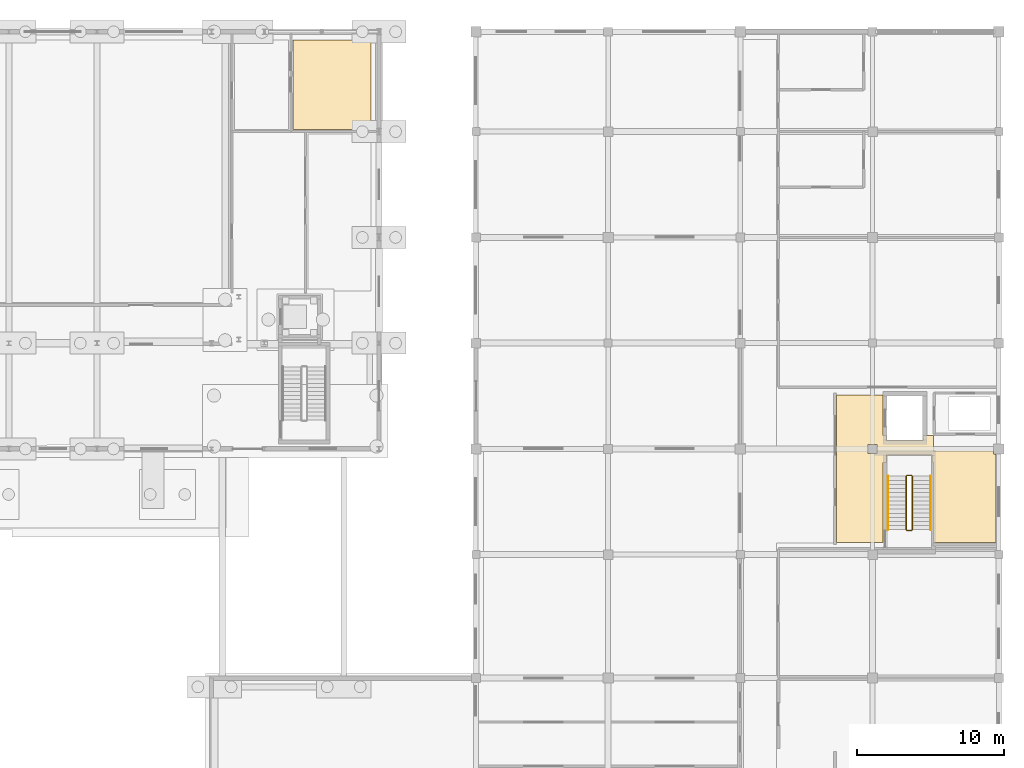
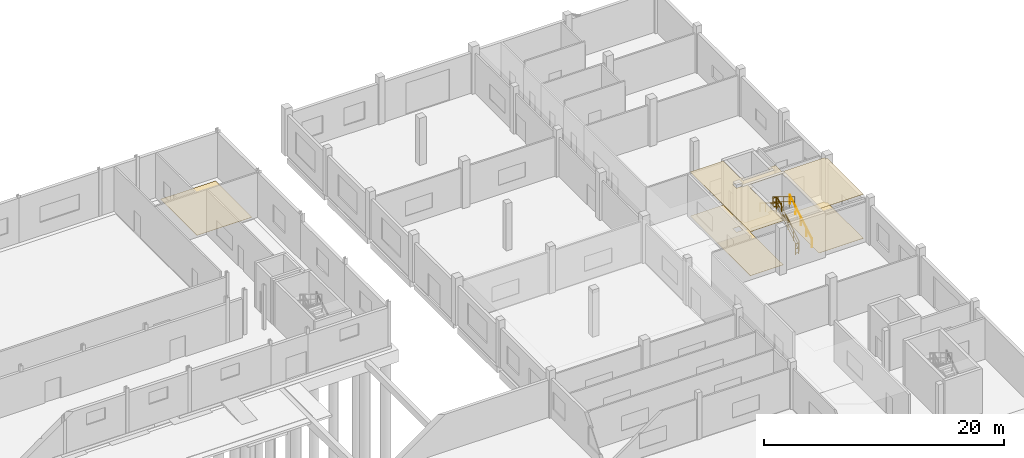
# One storey, part 90 of 91: 6 railings, 3 coverings.
"""IFC4 building model written with IfcOpenShell, lengths in metres."""

from ifc_helpers import new_model, si_unit, direction, frame, origin, origin_2d, place, context, subcontext, project, spatial, polyline, circle, outline, extrude, material, layer, layer_set, type_object, element, save


model = new_model("IFC4")

# Units and contexts
model_context = context("Model", 3, precision=1e-05, world=origin(), true_north=direction((0.0, 1.0)))
body_context = subcontext(model_context, "Body", "Model", "MODEL_VIEW")
ifc_project = project(units=[si_unit("LENGTHUNIT", "METRE"), si_unit("AREAUNIT", "SQUARE_METRE"), si_unit("VOLUMEUNIT", "CUBIC_METRE"), si_unit("PLANEANGLEUNIT", "RADIAN"), si_unit("MASSUNIT", "GRAM", prefix="KILO")], contexts=[model_context])

# Site, building, storey
site_placement = place(None, origin())
site = spatial("IfcSite", under=ifc_project, at=site_placement, CompositionType="ELEMENT")
building_placement = place(site_placement, origin())
building = spatial("IfcBuilding", under=site, at=building_placement, Name="Vinh Khe Railworks Police Headquarters", CompositionType="ELEMENT")
storey_placement = place(building_placement, origin())
storey = spatial("IfcBuildingStorey", under=building, at=storey_placement, Name="L00", CompositionType="ELEMENT", Elevation=0.0)

# Coverings
ifc_material_1 = material(Name="Mineral fibre acoustic ceiling tile")
ifc_layer_1 = layer(ifc_material_1, 0.034912109375)
ifc_layer_set_1 = layer_set([ifc_layer_1], Name="Mineral fibre acoustic ceiling tile")
covering_type_1 = type_object("IfcCoveringType", Name="COV-CEIL-ACOUSTIC", PredefinedType="CEILING", material=ifc_layer_set_1)
covering_1_placement = place(storey_placement, frame((0.0, 0.0, 4.47509765625)))
element("IfcCovering", 1, at=covering_1_placement, inside=storey, type_object=covering_type_1, Name="Acoustic Ceiling Protected Forensic Stair Lobby C3", PredefinedType="CEILING", context=body_context, shape_type="SweptSolid", body=[
    extrude(outline(polyline([(113.409912109375, 137.64501953125), (113.2451171875, 137.64501953125), (113.2451171875, 137.860107421875), (109.159912109375, 137.860107421875), (109.159912109375, 138.909912109375), (108.43994140625, 138.909912109375), (108.43994140625, 138.56005859375), (105.9599609375, 138.56005859375), (105.9599609375, 138.909912109375), (105.7099609375, 138.909912109375), (105.7099609375, 141.659912109375), (102.5400390625, 141.659912109375), (102.5400390625, 131.639892578125), (105.7099609375, 131.639892578125), (105.7099609375, 137.090087890625), (105.9599609375, 137.090087890625), (105.9599609375, 137.590087890625), (109.0400390625, 137.590087890625), (109.0400390625, 137.090087890625), (109.139892578125, 137.090087890625), (109.139892578125, 131.639892578125), (113.409912109375, 131.639892578125), (113.409912109375, 137.64501953125)]), holes=[polyline([(105.304931640625, 137.695068359375), (104.695068359375, 137.695068359375), (104.695068359375, 138.304931640625), (105.304931640625, 138.304931640625), (105.304931640625, 137.695068359375)])]), origin(), (0.0, 0.0, 1.0), 0.034912109375),
])
ifc_material_2 = material(Name="Honed granite terrazzo flooring", Category="masonry")
ifc_layer_2 = layer(ifc_material_2, 0.02001953125)
ifc_layer_set_2 = layer_set([ifc_layer_2], Name="Honed granite terrazzo flooring")
covering_type_2 = type_object("IfcCoveringType", Name="COV-FLR-TERRAZZO", PredefinedType="FLOORING", material=ifc_layer_set_2)
covering_2_placement = place(storey_placement, origin())
element("IfcCovering", 2, at=covering_2_placement, inside=storey, type_object=covering_type_2, Name="Terrazzo Floor Finish Protected Forensic Stair Lobby C3", PredefinedType="FLOORING", context=body_context, shape_type="SweptSolid", body=[
    extrude(outline(polyline([(113.409912109375, 137.64501953125), (113.2451171875, 137.64501953125), (113.2451171875, 137.860107421875), (109.159912109375, 137.860107421875), (109.159912109375, 138.909912109375), (108.43994140625, 138.909912109375), (108.43994140625, 138.56005859375), (105.9599609375, 138.56005859375), (105.9599609375, 138.909912109375), (105.7099609375, 138.909912109375), (105.7099609375, 141.659912109375), (102.5400390625, 141.659912109375), (102.5400390625, 131.639892578125), (105.7099609375, 131.639892578125), (105.7099609375, 137.090087890625), (105.9599609375, 137.090087890625), (105.9599609375, 137.590087890625), (109.0400390625, 137.590087890625), (109.0400390625, 137.090087890625), (109.139892578125, 137.090087890625), (109.139892578125, 131.639892578125), (113.409912109375, 131.639892578125), (113.409912109375, 137.64501953125)]), holes=[polyline([(105.304931640625, 137.695068359375), (104.695068359375, 137.695068359375), (104.695068359375, 138.304931640625), (105.304931640625, 138.304931640625), (105.304931640625, 137.695068359375)])]), origin(), (0.0, 0.0, 1.0), 0.02001953125),
])
covering_3_placement = place(storey_placement, origin())
element("IfcCovering", 3, at=covering_3_placement, inside=storey, type_object=covering_type_2, Name="Terrazzo Floor Finish Gymnasium Apparatus Store", PredefinedType="FLOORING", context=body_context, shape_type="SweptSolid", body=[
    extrude(outline(polyline([(70.840087890625, 165.840087890625), (65.56005859375, 165.840087890625), (65.56005859375, 159.760009765625), (70.840087890625, 159.760009765625), (70.840087890625, 165.840087890625)])), origin(), (0.0, 0.0, 1.0), 0.02001953125),
])

# Railings
ifc_material_3 = material(Name="Painted tubular steel", Category="steel")
railing_type_1 = type_object("IfcRailingType", Name="RL-GUARD-1100", PredefinedType="GUARDRAIL", material=ifc_material_3)
railing_1_placement = place(storey_placement, frame((107.699951171875, 132.5, 0.17138671875)))
element("IfcRailing", 4, at=railing_1_placement, inside=storey, type_object=railing_type_1, Name="L00 ST-03 stair guard 1", PredefinedType="GUARDRAIL", context=body_context, shape_type="SweptSolid", body=[
    extrude(circle(Radius=0.02392578125, at=origin_2d()), frame((0.0, 0.0, 1.076171875), z_axis=(0.0, 0.852850264322, 0.5221555579), x_axis=(-1.0, 0.0, 0.0)), (0.0, 0.0, 1.0), 4.267822265625),
    extrude(circle(Radius=0.01416015625, at=origin_2d()), frame((0.0, 0.0, 0.132080078125), z_axis=(0.0, 0.852850264322, 0.5221555579), x_axis=(-1.0, 0.0, 0.0)), (0.0, 0.0, 1.0), 4.267822265625),
    extrude(circle(Radius=0.01416015625, at=origin_2d()), frame((0.0, 0.0, 0.572021484375), z_axis=(0.0, 0.852850264322, 0.5221555579), x_axis=(-1.0, 0.0, 0.0)), (0.0, 0.0, 1.0), 4.267822265625),
    extrude(circle(Radius=0.02099609375, at=origin_2d()), origin(), (0.0, 0.0, 1.0), 1.052001953125),
    extrude(circle(Radius=0.02099609375, at=origin_2d()), frame((0.0, 0.909912109375, 0.55712890625)), (0.0, 0.0, 1.0), 1.052001953125),
    extrude(circle(Radius=0.02099609375, at=origin_2d()), frame((0.0, 1.81982421875, 1.1142578125)), (0.0, 0.0, 1.0), 1.052001953125),
    extrude(circle(Radius=0.02099609375, at=origin_2d()), frame((0.0, 2.72998046875, 1.67138671875)), (0.0, 0.0, 1.0), 1.052001953125),
    extrude(circle(Radius=0.02099609375, at=origin_2d()), frame((0.0, 3.639892578125, 2.228515625)), (0.0, 0.0, 1.0), 1.052001953125),
])
railing_2_placement = place(storey_placement, frame((107.64990234375, 136.18994140625, 2.39990234375)))
element("IfcRailing", 5, at=railing_2_placement, inside=storey, type_object=railing_type_1, Name="L00 ST-03 stair guard 2", PredefinedType="GUARDRAIL", context=body_context, shape_type="SweptSolid", body=[
    extrude(circle(Radius=0.02392578125, at=origin_2d()), frame((0.0, 0.0, 1.076171875), z_axis=(-1.0, 0.0, 0.0), x_axis=(0.0, -1.0, 0.0)), (0.0, 0.0, 1.0), 0.2998046875),
    extrude(circle(Radius=0.01416015625, at=origin_2d()), frame((0.0, 0.0, 0.132080078125), z_axis=(-1.0, 0.0, 0.0), x_axis=(0.0, -1.0, 0.0)), (0.0, 0.0, 1.0), 0.2998046875),
    extrude(circle(Radius=0.01416015625, at=origin_2d()), frame((0.0, 0.0, 0.572021484375), z_axis=(-1.0, 0.0, 0.0), x_axis=(0.0, -1.0, 0.0)), (0.0, 0.0, 1.0), 0.2998046875),
    extrude(circle(Radius=0.02099609375, at=origin_2d()), origin(), (0.0, 0.0, 1.0), 1.052001953125),
    extrude(circle(Radius=0.02099609375, at=origin_2d()), frame((-0.2998046875, 0.0, 0.0)), (0.0, 0.0, 1.0), 1.052001953125),
])
railing_3_placement = place(storey_placement, frame((107.300048828125, 136.139892578125, 2.571533203125)))
element("IfcRailing", 6, at=railing_3_placement, inside=storey, type_object=railing_type_1, Name="L00 ST-03 stair guard 3", PredefinedType="GUARDRAIL", context=body_context, shape_type="SweptSolid", body=[
    extrude(circle(Radius=0.02392578125, at=origin_2d()), frame((0.0, 0.0, 1.076171875), z_axis=(0.0, -0.852850264322, 0.5221555579), x_axis=(1.0, 0.0, 0.0)), (0.0, 0.0, 1.0), 4.267822265625),
    extrude(circle(Radius=0.01416015625, at=origin_2d()), frame((0.0, 0.0, 0.132080078125), z_axis=(0.0, -0.852850264322, 0.5221555579), x_axis=(1.0, 0.0, 0.0)), (0.0, 0.0, 1.0), 4.267822265625),
    extrude(circle(Radius=0.01416015625, at=origin_2d()), frame((0.0, 0.0, 0.572021484375), z_axis=(0.0, -0.852850264322, 0.5221555579), x_axis=(1.0, 0.0, 0.0)), (0.0, 0.0, 1.0), 4.267822265625),
    extrude(circle(Radius=0.02099609375, at=origin_2d()), origin(), (0.0, 0.0, 1.0), 1.052001953125),
    extrude(circle(Radius=0.02099609375, at=origin_2d()), frame((0.0, -0.909912109375, 0.55712890625)), (0.0, 0.0, 1.0), 1.052001953125),
    extrude(circle(Radius=0.02099609375, at=origin_2d()), frame((0.0, -1.81982421875, 1.1142578125)), (0.0, 0.0, 1.0), 1.052001953125),
    extrude(circle(Radius=0.02099609375, at=origin_2d()), frame((0.0, -2.72998046875, 1.67138671875)), (0.0, 0.0, 1.0), 1.052001953125),
    extrude(circle(Radius=0.02099609375, at=origin_2d()), frame((0.0, -3.639892578125, 2.228515625)), (0.0, 0.0, 1.0), 1.052001953125),
])
railing_4_placement = place(storey_placement, frame((107.64990234375, 132.449951171875, 0.0)))
element("IfcRailing", 7, at=railing_4_placement, inside=storey, type_object=railing_type_1, Name="L00 ST-03 stair guard 4", PredefinedType="GUARDRAIL", context=body_context, shape_type="SweptSolid", body=[
    extrude(circle(Radius=0.02392578125, at=origin_2d()), frame((0.0, 0.0, 1.076171875), z_axis=(-1.0, 0.0, 0.0), x_axis=(0.0, -1.0, 0.0)), (0.0, 0.0, 1.0), 0.2998046875),
    extrude(circle(Radius=0.01416015625, at=origin_2d()), frame((0.0, 0.0, 0.132080078125), z_axis=(-1.0, 0.0, 0.0), x_axis=(0.0, -1.0, 0.0)), (0.0, 0.0, 1.0), 0.2998046875),
    extrude(circle(Radius=0.01416015625, at=origin_2d()), frame((0.0, 0.0, 0.572021484375), z_axis=(-1.0, 0.0, 0.0), x_axis=(0.0, -1.0, 0.0)), (0.0, 0.0, 1.0), 0.2998046875),
    extrude(circle(Radius=0.02099609375, at=origin_2d()), origin(), (0.0, 0.0, 1.0), 1.052001953125),
    extrude(circle(Radius=0.02099609375, at=origin_2d()), frame((-0.2998046875, 0.0, 0.0)), (0.0, 0.0, 1.0), 1.052001953125),
])
ifc_material_4 = material(Name="Brushed stainless steel", Category="steel")
railing_type_2 = type_object("IfcRailingType", Name="RL-HAND-900", PredefinedType="HANDRAIL", material=ifc_material_4)
railing_5_placement = place(storey_placement, frame((108.949951171875, 132.5, 0.17138671875)))
element("IfcRailing", 8, at=railing_5_placement, inside=storey, type_object=railing_type_2, Name="L00 ST-03 stair handrail 1", PredefinedType="HANDRAIL", context=body_context, shape_type="SweptSolid", body=[
    extrude(circle(Radius=0.02392578125, at=origin_2d()), frame((0.0, 0.0, 0.8759765625), z_axis=(0.0, 0.852850264322, 0.5221555579), x_axis=(-1.0, 0.0, 0.0)), (0.0, 0.0, 1.0), 4.267822265625),
    extrude(circle(Radius=0.02099609375, at=origin_2d()), origin(), (0.0, 0.0, 1.0), 0.851806640625),
    extrude(circle(Radius=0.02099609375, at=origin_2d()), frame((0.0, 0.909912109375, 0.55712890625)), (0.0, 0.0, 1.0), 0.851806640625),
    extrude(circle(Radius=0.02099609375, at=origin_2d()), frame((0.0, 1.81982421875, 1.1142578125)), (0.0, 0.0, 1.0), 0.851806640625),
    extrude(circle(Radius=0.02099609375, at=origin_2d()), frame((0.0, 2.72998046875, 1.67138671875)), (0.0, 0.0, 1.0), 0.851806640625),
    extrude(circle(Radius=0.02099609375, at=origin_2d()), frame((0.0, 3.639892578125, 2.228515625)), (0.0, 0.0, 1.0), 0.851806640625),
])
railing_6_placement = place(storey_placement, frame((106.050048828125, 136.139892578125, 2.571533203125)))
element("IfcRailing", 9, at=railing_6_placement, inside=storey, type_object=railing_type_2, Name="L00 ST-03 stair handrail 2", PredefinedType="HANDRAIL", context=body_context, shape_type="SweptSolid", body=[
    extrude(circle(Radius=0.02392578125, at=origin_2d()), frame((0.0, 0.0, 0.8759765625), z_axis=(0.0, -0.852850264322, 0.5221555579), x_axis=(1.0, 0.0, 0.0)), (0.0, 0.0, 1.0), 4.267822265625),
    extrude(circle(Radius=0.02099609375, at=origin_2d()), origin(), (0.0, 0.0, 1.0), 0.851806640625),
    extrude(circle(Radius=0.02099609375, at=origin_2d()), frame((0.0, -0.909912109375, 0.55712890625)), (0.0, 0.0, 1.0), 0.851806640625),
    extrude(circle(Radius=0.02099609375, at=origin_2d()), frame((0.0, -1.81982421875, 1.1142578125)), (0.0, 0.0, 1.0), 0.851806640625),
    extrude(circle(Radius=0.02099609375, at=origin_2d()), frame((0.0, -2.72998046875, 1.67138671875)), (0.0, 0.0, 1.0), 0.851806640625),
    extrude(circle(Radius=0.02099609375, at=origin_2d()), frame((0.0, -3.639892578125, 2.228515625)), (0.0, 0.0, 1.0), 0.851806640625),
])

save(model, "model.ifc")
